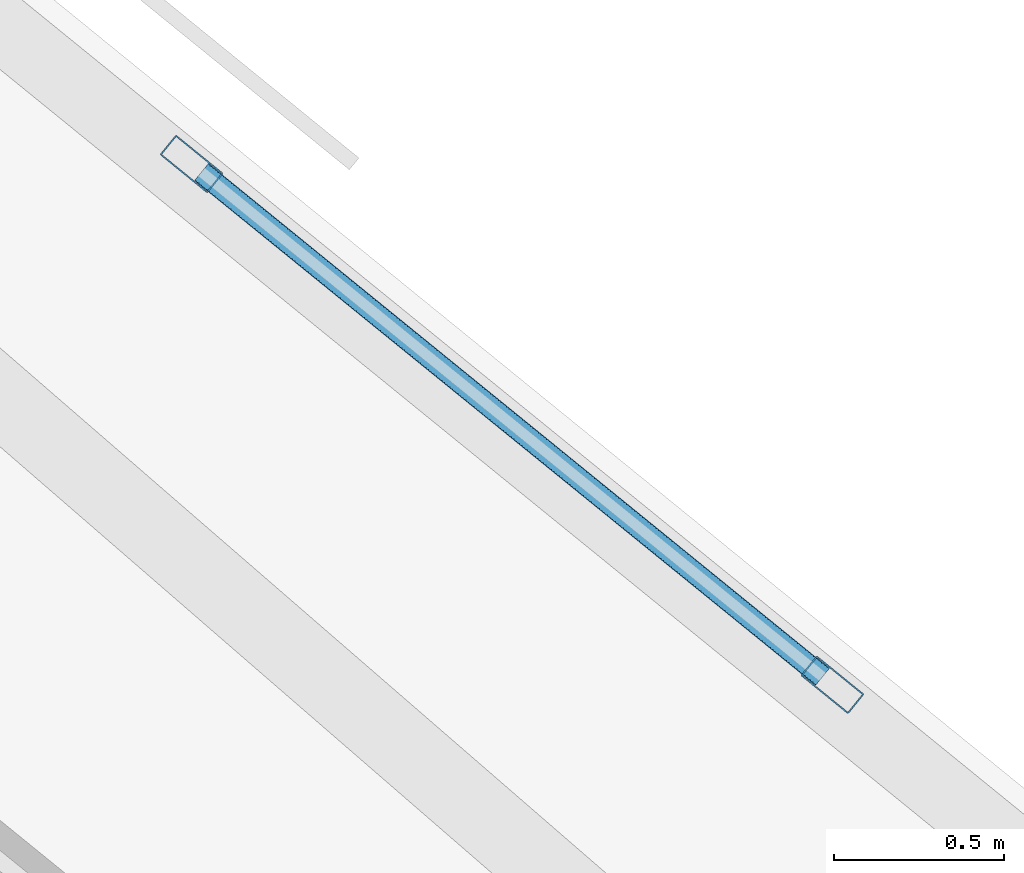
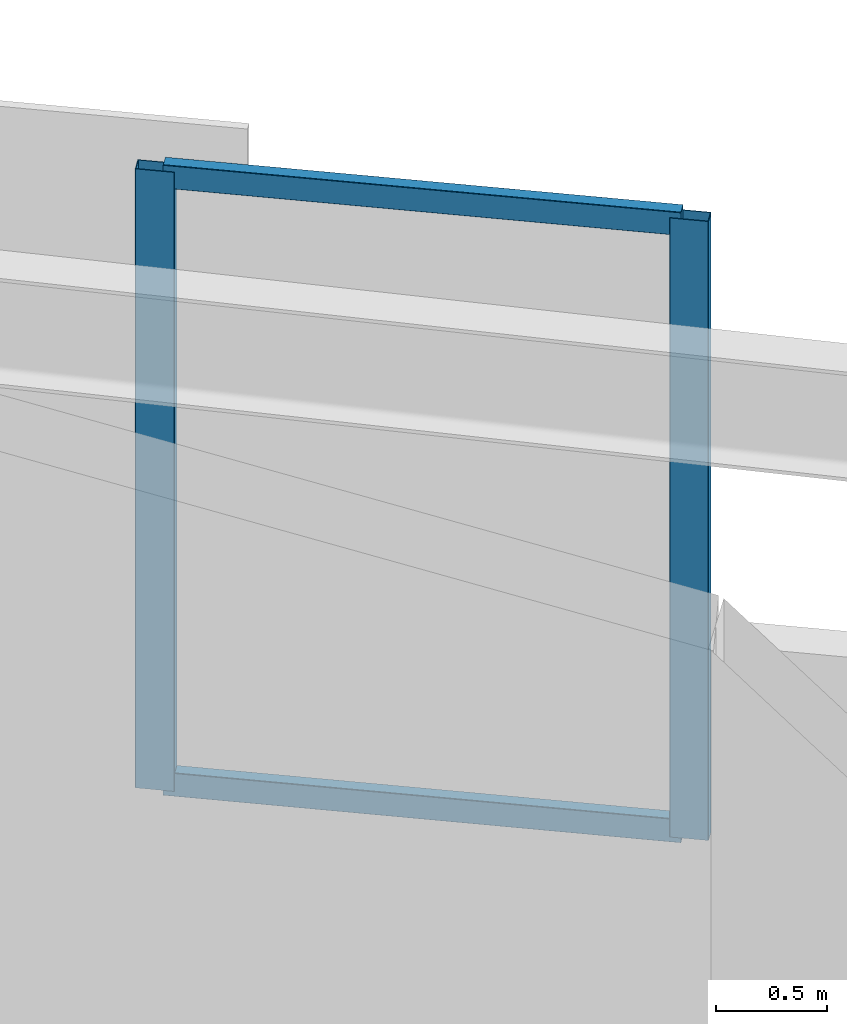
# One storey, part 2 of 17: 4 members, 1 element without a shape of its own.
"""IFC4 building model written with IfcOpenShell, lengths in metres."""

from ifc_helpers import new_model, si_unit, direction, frame, origin, origin_2d, place, context, subcontext, project, spatial, hollow_rectangle, extrude, material, material_profile, profile_set, type_object, element, aggregate, save


model = new_model("IFC4")

# Units and contexts
model_context = context("Model", 3, precision=1e-05, world=origin(), true_north=direction((0.0, 1.0)))
body_context = subcontext(model_context, "Body", "Model", "MODEL_VIEW")
ifc_project = project(units=[si_unit("LENGTHUNIT", "METRE"), si_unit("AREAUNIT", "SQUARE_METRE"), si_unit("VOLUMEUNIT", "CUBIC_METRE"), si_unit("PLANEANGLEUNIT", "RADIAN"), si_unit("MASSUNIT", "GRAM", prefix="KILO")], contexts=[model_context])

# Site, building, storey
site_placement = place(None, origin())
site = spatial("IfcSite", under=ifc_project, at=site_placement, CompositionType="ELEMENT")
building_placement = place(site_placement, origin())
building = spatial("IfcBuilding", under=site, at=building_placement, Name="Narakoshi Arena Tower", CompositionType="ELEMENT")
storey_placement = place(building_placement, frame((0.0, 0.0, 30.300048828125)))
storey = spatial("IfcBuildingStorey", under=building, at=storey_placement, Name="L07", CompositionType="ELEMENT", Elevation=30.300048828125)

# Curtain wall, members
ifc_material = material(Name="Anodised bronze aluminium 6063-T6", Category="aluminium")
curtain_wall_type = type_object("IfcCurtainWallType", Name="CW-HYP-LOW", PredefinedType="NOTDEFINED", material=ifc_material)
curtain_wall_placement = place(storey_placement, origin())
curtain_wall = element("IfcCurtainWall", 1, at=curtain_wall_placement, inside=storey, type_object=curtain_wall_type, Name="L07 Folded Hypotenuse Curtain Wall 2-1", PredefinedType="NOTDEFINED")
ifc_material_profile_1 = material_profile(ifc_material, hollow_rectangle(XDim=0.074951171875, YDim=0.179931640625, WallThickness=0.00390625, OuterFilletRadius=0.0048828125, at=origin_2d()), Name="MUL180x75x4")
ifc_profile_set_1 = profile_set([ifc_material_profile_1], Name="Anodised bronze aluminium 6063-T6")
member_type_1 = type_object("IfcMemberType", Name="MEM-MUL-180", PredefinedType="MULLION", material=ifc_profile_set_1)
member_1_placement = place(storey_placement, frame((93.34521484375, 59.196533203125, 0.0), z_axis=(0.0, 0.0, 1.0), x_axis=(-0.63072316495, -0.776007918256, 0.0)))
member_1 = element("IfcMember", 2, at=member_1_placement, type_object=member_type_1, Name="CW-01 mullion 1", PredefinedType="MULLION", context=body_context, shape_type="SweptSolid", body=[
    extrude(hollow_rectangle(XDim=0.074951171875, YDim=0.179931640625, WallThickness=0.00390625, OuterFilletRadius=0.0048828125, at=origin_2d()), origin(), (0.0, 0.0, 1.0), 3.39990234375),
])
member_2_placement = place(storey_placement, frame((91.45654296875, 60.731689453125, 0.0), z_axis=(0.0, 0.0, 1.0), x_axis=(-0.63072316495, -0.776007918256, 0.0)))
member_2 = element("IfcMember", 3, at=member_2_placement, type_object=member_type_1, Name="CW-01 mullion 2", PredefinedType="MULLION", context=body_context, shape_type="SweptSolid", body=[
    extrude(hollow_rectangle(XDim=0.074951171875, YDim=0.179931640625, WallThickness=0.00390625, OuterFilletRadius=0.0048828125, at=origin_2d()), origin(), (0.0, 0.0, 1.0), 3.39990234375),
])
ifc_material_profile_2 = material_profile(ifc_material, hollow_rectangle(XDim=0.06494140625, YDim=0.1298828125, WallThickness=0.00390625, OuterFilletRadius=0.0048828125, at=origin_2d()), Name="TRN130x65x4")
ifc_profile_set_2 = profile_set([ifc_material_profile_2], Name="Anodised bronze aluminium 6063-T6")
member_type_2 = type_object("IfcMemberType", Name="MEM-TRN-130", PredefinedType="USERDEFINED", material=ifc_profile_set_2)
member_3_placement = place(storey_placement, frame((93.316162109375, 59.22021484375, 0.032470703125), z_axis=(-0.776019017778, 0.630709508448, 0.0), x_axis=(-0.630709508448, -0.776019017778, 0.0)))
member_3 = element("IfcMember", 4, at=member_3_placement, type_object=member_type_2, Name="CW-01 transom 1.1", ObjectType="TRANSOM", PredefinedType="USERDEFINED", context=body_context, shape_type="SweptSolid", body=[
    extrude(hollow_rectangle(XDim=0.06494140625, YDim=0.1298828125, WallThickness=0.00390625, OuterFilletRadius=0.0048828125, at=origin_2d()), origin(), (0.0, 0.0, 1.0), 2.35888671875),
])
member_4_placement = place(storey_placement, frame((93.316162109375, 59.22021484375, 3.367431640625), z_axis=(-0.776019017778, 0.630709508448, 0.0), x_axis=(-0.630709508448, -0.776019017778, 0.0)))
member_4 = element("IfcMember", 5, at=member_4_placement, type_object=member_type_2, Name="CW-01 transom 1.2", ObjectType="TRANSOM", PredefinedType="USERDEFINED", context=body_context, shape_type="SweptSolid", body=[
    extrude(hollow_rectangle(XDim=0.06494140625, YDim=0.1298828125, WallThickness=0.00390625, OuterFilletRadius=0.0048828125, at=origin_2d()), origin(), (0.0, 0.0, 1.0), 2.35888671875),
])
aggregate(curtain_wall, [member_1, member_2, member_3, member_4])

save(model, "model.ifc")
